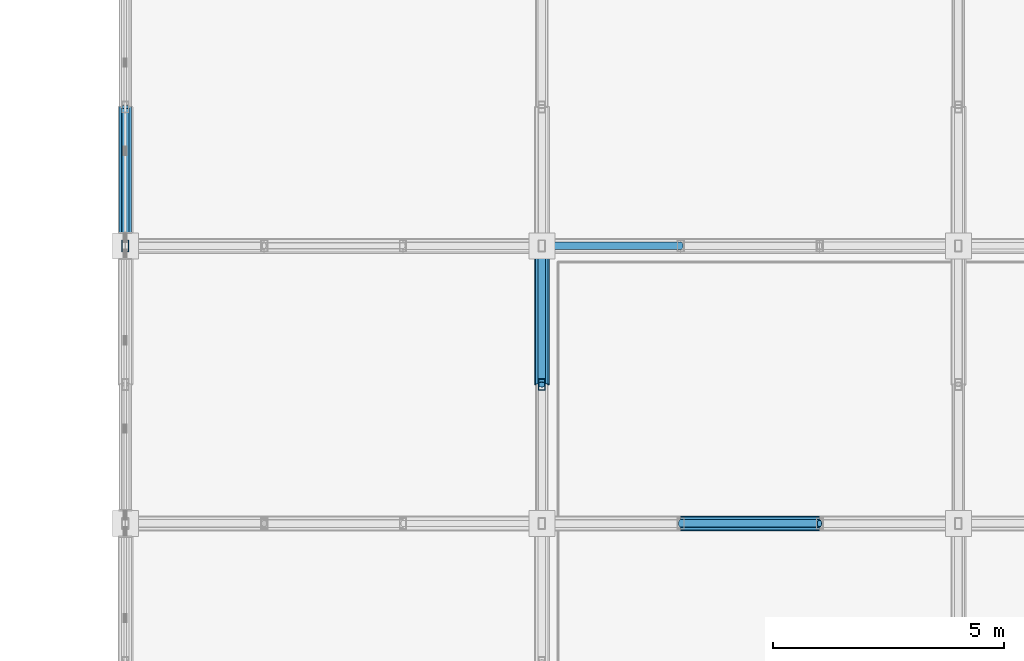
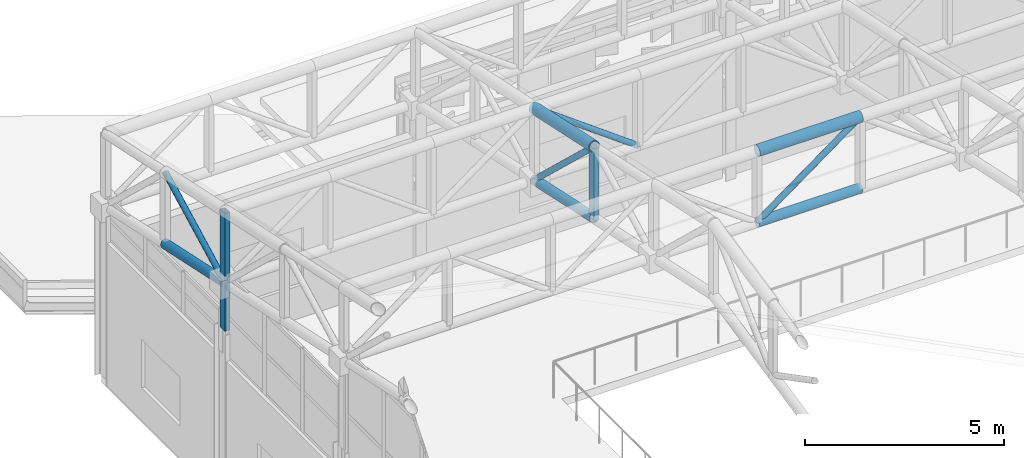
# One storey, part 16 of 112: 11 members.
"""IFC4 building model written with IfcOpenShell, lengths in metres."""

import ifcopenshell
import ifcopenshell.guid

model = None  # the IFC model being written
_history = None  # IfcOwnerHistory: only IFC2X3 demands one
_inside = {}  # id of a spatial element -> (the spatial element, [elements in it])
_under = {}  # id of a project, library or spatial element -> (it, [spatial elements below it])
_declared = {}  # id of a project -> (the project, [libraries it declares])
_typed = {}  # id of a type object -> (the type object, [elements of that type])
_made_of = {}  # id of a material, layer set ... -> (it, [elements and type objects made of it])


def new_model(schema):
    """Start an empty IFC model of exactly this schema.

    Asked for "IFC4X3", IfcOpenShell would pick the latest addendum, in which some entities
    have other attributes; the version numbers below select the first issue.
    IFC2X3 requires an IfcOwnerHistory on every rooted entity: one is made here for all.
    """
    global model, _history
    if schema == "IFC4X3":
        model = ifcopenshell.file(schema_version=(4, 3, 0, 0))
    else:
        model = ifcopenshell.file(schema=schema)
    _inside.clear()
    _under.clear()
    _declared.clear()
    _typed.clear()
    _made_of.clear()
    _history = None
    if model.schema == "IFC2X3":
        org = make("IfcOrganization", Name="unknown")
        user = make(
            "IfcPersonAndOrganization",
            ThePerson=make("IfcPerson", FamilyName="unknown"),
            TheOrganization=org,
        )
        app = make(
            "IfcApplication",
            ApplicationDeveloper=org,
            Version="unknown",
            ApplicationFullName="unknown",
            ApplicationIdentifier="unknown",
        )
        _history = make(
            "IfcOwnerHistory",
            OwningUser=user,
            OwningApplication=app,
            ChangeAction="ADDED",
            CreationDate=0,
        )
    return model


def make(cls, **values):
    """One entity of the class cls with the attributes given. An attribute that is None is left unset."""
    return model.create_entity(
        cls, **{name: value for name, value in values.items() if value is not None}
    )


def rooted(cls, **values):
    """An entity with a GlobalId (a new one), such as an element, a storey or a relation."""
    return make(cls, GlobalId=ifcopenshell.guid.new(), OwnerHistory=_history, **values)


def si_unit(unit_type, name, prefix=None):
    """IfcSIUnit, for example si_unit("LENGTHUNIT", "METRE", prefix="MILLI")."""
    return make("IfcSIUnit", UnitType=unit_type, Prefix=prefix, Name=name)


def assignment(units):
    """IfcUnitAssignment: the units of a project."""
    return None if units is None else make("IfcUnitAssignment", Units=units)


def point(xyz):
    """IfcCartesianPoint."""
    return None if xyz is None else make("IfcCartesianPoint", Coordinates=xyz)


def direction(xyz):
    """IfcDirection."""
    return None if xyz is None else make("IfcDirection", DirectionRatios=xyz)


def frame(location, z_axis=None, x_axis=None):
    """IfcAxis2Placement3D, a coordinate frame: its origin and axes. An axis left out is left unset."""
    return make(
        "IfcAxis2Placement3D",
        Location=point(location),
        Axis=direction(z_axis),
        RefDirection=direction(x_axis),
    )


def frame_2d(location, x_axis=None):
    """IfcAxis2Placement2D, a coordinate frame in the plane: its origin and x axis."""
    return make(
        "IfcAxis2Placement2D", Location=point(location), RefDirection=direction(x_axis)
    )


def origin():
    """The frame at (0, 0, 0) with its axes left unset."""
    return frame((0.0, 0.0, 0.0))


def origin_2d():
    """The frame at (0, 0) in the plane with its x axis left unset."""
    return frame_2d((0.0, 0.0))


def place(relative_to, where):
    """IfcLocalPlacement: puts the frame where relative to a parent placement (None: the world)."""
    return make(
        "IfcLocalPlacement", PlacementRelTo=relative_to, RelativePlacement=where
    )


def context(
    kind, dimensions, precision=None, world=None, true_north=None, identifier=None
):
    """IfcGeometricRepresentationContext, for example the 3D "Model" context."""
    return make(
        "IfcGeometricRepresentationContext",
        ContextIdentifier=identifier,
        ContextType=kind,
        CoordinateSpaceDimension=dimensions,
        Precision=precision,
        WorldCoordinateSystem=world,
        TrueNorth=true_north,
    )


def subcontext(parent, identifier, kind, view, scale=None):
    """IfcGeometricRepresentationSubContext, for example "Body" below "Model"."""
    return make(
        "IfcGeometricRepresentationSubContext",
        ContextIdentifier=identifier,
        ContextType=kind,
        ParentContext=parent,
        TargetScale=scale,
        TargetView=view,
    )


def project(units=None, contexts=None):
    """IfcProject with its units and contexts."""
    return rooted(
        "IfcProject",
        Name="project",
        RepresentationContexts=contexts,
        UnitsInContext=assignment(units),
    )


def spatial(cls, under=None, at=None, **own):
    """A site, building, storey or space (cls), placed at a placement, below another one or the project."""
    s = rooted(cls, ObjectPlacement=at, **own)
    if under is not None:
        _under.setdefault(under.id(), (under, []))[1].append(s)
    return s


def profile(cls, at=None, kind="AREA", **sizes):
    """A parametric profile (cls). Its sizes go by their IFC names, for example OverallWidth=200.0."""
    return make(cls, ProfileType=kind, Position=at, **sizes)


def hollow_rectangle(**sizes):
    """IfcRectangleHollowProfileDef."""
    return profile("IfcRectangleHollowProfileDef", **sizes)


def hollow_circle(**sizes):
    """IfcCircleHollowProfileDef."""
    return profile("IfcCircleHollowProfileDef", **sizes)


def extrude(swept, where, along, depth):
    """IfcExtrudedAreaSolid: the profile swept, set in the frame where, extruded along a direction by depth."""
    return make(
        "IfcExtrudedAreaSolid",
        SweptArea=swept,
        Position=where,
        ExtrudedDirection=direction(along),
        Depth=depth,
    )


def shape(context_of_items, identifier, shape_type, items):
    """IfcShapeRepresentation: the items that make up one representation, for example the "Body"."""
    return make(
        "IfcShapeRepresentation",
        ContextOfItems=context_of_items,
        RepresentationIdentifier=identifier,
        RepresentationType=shape_type,
        Items=items,
    )


def material(Name=None, Category=None):
    """IfcMaterial."""
    return make("IfcMaterial", Name=Name, Category=Category)


def material_profile(
    of_material, cross_section, Name=None, Category=None, Priority=None
):
    """IfcMaterialProfile: a cross section and its material."""
    return make(
        "IfcMaterialProfile",
        Name=Name,
        Material=of_material,
        Profile=cross_section,
        Priority=Priority,
        Category=Category,
    )


def profile_set(profiles, Name=None, composite=None):
    """IfcMaterialProfileSet."""
    return make(
        "IfcMaterialProfileSet",
        Name=Name,
        MaterialProfiles=profiles,
        CompositeProfile=composite,
    )


def made_of(thing, what):
    """Note that an element or type object is made of a material, layer set ...; save() writes the relation."""
    if what is not None:
        _made_of.setdefault(what.id(), (what, []))[1].append(thing)
    return thing


def type_object(cls, material=None, **own):
    """A type object (cls), such as IfcWallType, which elements share."""
    return made_of(rooted(cls, **own), material)


def element(
    cls,
    number,
    at=None,
    inside=None,
    cuts=None,
    type_object=None,
    material=None,
    context=None,
    identifier="Body",
    shape_type=None,
    held_by="IfcProductDefinitionShape",
    body=None,
    shapes=None,
    **own,
):
    """One element of the class cls, such as IfcWall. Its Tag is "e" and its number.

    at: its placement. inside: the storey or other place that contains it. cuts: it is an
    opening in that element (IfcRelVoidsElement). A single representation is given by context,
    identifier, shape_type and body (its items); several are given by shapes. held_by: the class
    of the entity that holds the representations. save() writes the other relations.
    """
    e = rooted(cls, Tag="e%d" % number, ObjectPlacement=at, **own)
    if body is not None:
        shapes = [shape(context, identifier, shape_type, body)]
    if shapes is not None:
        e.Representation = make(held_by, Representations=shapes)
    if inside is not None:
        _inside.setdefault(inside.id(), (inside, []))[1].append(e)
    if cuts is not None:
        rooted(
            "IfcRelVoidsElement", RelatingBuildingElement=cuts, RelatedOpeningElement=e
        )
    if type_object is not None:
        _typed.setdefault(type_object.id(), (type_object, []))[1].append(e)
    return made_of(e, material)


def aggregate(whole, parts):
    """IfcRelAggregates: a whole, such as a stair, and the parts it consists of."""
    return rooted("IfcRelAggregates", RelatingObject=whole, RelatedObjects=parts)


def save(model, path):
    """Write the relations noted so far, then the file.

    IfcRelAggregates (storeys below a building ...), IfcRelContainedInSpatialStructure (elements
    in a storey), IfcRelDefinesByType, IfcRelAssociatesMaterial and IfcRelDeclares: one each for
    every whole, place, type object, material and project.
    """
    for whole, parts in _under.values():
        aggregate(whole, parts)
    for where, things in _inside.values():
        rooted(
            "IfcRelContainedInSpatialStructure",
            RelatedElements=things,
            RelatingStructure=where,
        )
    for kind, things in _typed.values():
        rooted("IfcRelDefinesByType", RelatedObjects=things, RelatingType=kind)
    for what, things in _made_of.values():
        rooted("IfcRelAssociatesMaterial", RelatedObjects=things, RelatingMaterial=what)
    for by, libraries in _declared.values():
        rooted("IfcRelDeclares", RelatingContext=by, RelatedDefinitions=libraries)
    model.write(path)


model = new_model("IFC4")

# Units and contexts
model_context = context("Model", 3, precision=1e-05, world=origin(), true_north=direction((0.0, 1.0)))
body_context = subcontext(model_context, "Body", "Model", "MODEL_VIEW")
ifc_project = project(units=[si_unit("LENGTHUNIT", "METRE"), si_unit("AREAUNIT", "SQUARE_METRE"), si_unit("VOLUMEUNIT", "CUBIC_METRE"), si_unit("PLANEANGLEUNIT", "RADIAN"), si_unit("MASSUNIT", "GRAM", prefix="KILO")], contexts=[model_context])

# Site, building, storey
site_placement = place(None, origin())
site = spatial("IfcSite", under=ifc_project, at=site_placement, CompositionType="ELEMENT")
building_placement = place(site_placement, origin())
building = spatial("IfcBuilding", under=site, at=building_placement, Name="Kaldris Quays Convention Centre", CompositionType="ELEMENT")
storey_placement = place(building_placement, frame((0.0, 0.0, 16.800048828125)))
storey = spatial("IfcBuildingStorey", under=building, at=storey_placement, Name="L03", CompositionType="ELEMENT", Elevation=16.800048828125)

# Members
ifc_material = material(Name="Steel S355J2H", Category="steel")
ifc_material_profile_1 = material_profile(ifc_material, hollow_circle(Radius=0.161865234375, WallThickness=0.01611328125, at=origin_2d()), Name="CHS 323.9x16")
ifc_profile_set_1 = profile_set([ifc_material_profile_1], Name="Steel S355J2H")
member_type_1 = type_object("IfcMemberType", Name="STRUCTURAL MEMBER SC03", PredefinedType="CHORD", material=ifc_profile_set_1)
member_1_placement = place(storey_placement, frame((32.0, 34.0, 10.09033203125), z_axis=(1.0, 0.0, 0.0), x_axis=(0.0, 1.0, 0.0)))
element("IfcMember", 1, at=member_1_placement, inside=storey, type_object=member_type_1, Name="SF-V3 Top Chord X 47", PredefinedType="CHORD", context=body_context, shape_type="SweptSolid", body=[
    extrude(hollow_circle(Radius=0.161865234375, WallThickness=0.01611328125, at=origin_2d()), origin(), (0.0, 0.0, 1.0), 3.0),
])
member_2_placement = place(storey_placement, frame((29.0, 37.0, 9.450439453125), z_axis=(0.0, 0.977999981478, -0.208604976518), x_axis=(-1.0, 0.0, 0.0)))
element("IfcMember", 2, at=member_2_placement, inside=storey, type_object=member_type_1, Name="SF-V3 Top Chord Y 123", PredefinedType="CHORD", context=body_context, shape_type="SweptSolid", body=[
    extrude(hollow_circle(Radius=0.161865234375, WallThickness=0.01611328125, at=origin_2d()), origin(), (0.0, 0.0, 1.0), 3.0673828125),
])
ifc_material_profile_2 = material_profile(ifc_material, hollow_circle(Radius=0.136474609375, WallThickness=0.012451171875, at=origin_2d()), Name="CHS 273x12.5")
ifc_profile_set_2 = profile_set([ifc_material_profile_2], Name="Steel S355J2H")
member_type_2 = type_object("IfcMemberType", Name="STRUCTURAL MEMBER SC04", PredefinedType="CHORD", material=ifc_profile_set_2)
member_3_placement = place(storey_placement, frame((32.0, 34.0, 7.890380859375), z_axis=(1.0, 0.0, 0.0), x_axis=(0.0, 1.0, 0.0)))
element("IfcMember", 3, at=member_3_placement, inside=storey, type_object=member_type_2, Name="SF-V3 Bottom Chord X 47", PredefinedType="CHORD", context=body_context, shape_type="SweptSolid", body=[
    extrude(hollow_circle(Radius=0.136474609375, WallThickness=0.012451171875, at=origin_2d()), origin(), (0.0, 0.0, 1.0), 3.0),
])
member_4_placement = place(storey_placement, frame((20.0, 40.0, 6.6103515625), z_axis=(0.0, 0.977999981478, -0.208604976518), x_axis=(-1.0, 0.0, 0.0)))
element("IfcMember", 4, at=member_4_placement, inside=storey, type_object=member_type_2, Name="SF-V3 Bottom Chord Y 114", PredefinedType="CHORD", context=body_context, shape_type="SweptSolid", body=[
    extrude(hollow_circle(Radius=0.136474609375, WallThickness=0.012451171875, at=origin_2d()), origin(), (0.0, 0.0, 1.0), 3.0673828125),
])
member_5_placement = place(storey_placement, frame((29.0, 37.0, 7.25048828125), z_axis=(0.0, 0.977983741211, -0.20868110103), x_axis=(-1.0, 0.0, 0.0)))
element("IfcMember", 5, at=member_5_placement, inside=storey, type_object=member_type_2, Name="SF-V3 Bottom Chord Y 123", PredefinedType="CHORD", context=body_context, shape_type="SweptSolid", body=[
    extrude(hollow_circle(Radius=0.136474609375, WallThickness=0.012451171875, at=origin_2d()), origin(), (0.0, 0.0, 1.0), 3.067626953125),
])
ifc_material_profile_3 = material_profile(ifc_material, hollow_circle(Radius=0.084228515625, WallThickness=0.008056640625, at=origin_2d()), Name="CHS 168.3x8")
ifc_profile_set_3 = profile_set([ifc_material_profile_3], Name="Steel S355J2H")
member_type_3 = type_object("IfcMemberType", Name="STRUCTURAL MEMBER SWB2", PredefinedType="BRACE", material=ifc_profile_set_3)
for number, where, z_axis, x_axis, name in (
    (6, (32.0, 34.0, 7.890380859375), (0.80641125493, 0.0, 0.591355128432), (0.0, 1.0, 0.0), "SF-V3 Web Diagonal X 47"),
    (7, (32.0, 40.0, 6.6103515625), (-0.806379959628, 0.0, 0.591397802423), (0.0, -1.0, 0.0), "SF-V3 Web Diagonal X 67"),
):
    element("IfcMember", number, at=place(storey_placement, frame(where, z_axis=z_axis, x_axis=x_axis)), inside=storey, type_object=member_type_3, Name=name, PredefinedType="BRACE", context=body_context, shape_type="SweptSolid", body=[
        extrude(hollow_circle(Radius=0.084228515625, WallThickness=0.008056640625, at=origin_2d()), origin(), (0.0, 0.0, 1.0), 3.72021484375),
    ])
member_6_placement = place(storey_placement, frame((20.0, 40.0, 6.6103515625), z_axis=(0.0, 0.887209708306, 0.461366376634), x_axis=(-1.0, 0.0, 0.0)))
element("IfcMember", 8, at=member_6_placement, inside=storey, type_object=member_type_3, Name="SF-V3 Web Diagonal Y 114", PredefinedType="BRACE", context=body_context, shape_type="SweptSolid", body=[
    extrude(hollow_circle(Radius=0.084228515625, WallThickness=0.008056640625, at=origin_2d()), origin(), (0.0, 0.0, 1.0), 3.38134765625),
])
member_7_placement = place(storey_placement, frame((29.0, 40.0, 6.6103515625), z_axis=(0.0, -0.726196449967, 0.687487247922), x_axis=(1.0, 0.0, 0.0)))
element("IfcMember", 9, at=member_7_placement, inside=storey, type_object=member_type_3, Name="SF-V3 Web Diagonal Y 123", PredefinedType="BRACE", context=body_context, shape_type="SweptSolid", body=[
    extrude(hollow_circle(Radius=0.084228515625, WallThickness=0.008056640625, at=origin_2d()), origin(), (0.0, 0.0, 1.0), 4.131103515625),
])
ifc_material_profile_4 = material_profile(ifc_material, hollow_rectangle(XDim=0.14990234375, YDim=0.25, WallThickness=0.010009765625, at=origin_2d()), Name="RHS 250x150x10")
ifc_profile_set_4 = profile_set([ifc_material_profile_4], Name="Steel S355J2H")
member_type_4 = type_object("IfcMemberType", Name="STRUCTURAL MEMBER TTV1", PredefinedType="POST", material=ifc_profile_set_4)
member_8_placement = place(storey_placement, frame((20.0, 40.0, 5.19384765625), z_axis=(0.0, 0.0, 1.0), x_axis=(1.0, 0.0, 0.0)))
element("IfcMember", 10, at=member_8_placement, inside=storey, type_object=member_type_4, Name="SF-V3 Space-Frame Post 9", PredefinedType="POST", context=body_context, shape_type="SweptSolid", body=[
    extrude(hollow_rectangle(XDim=0.14990234375, YDim=0.25, WallThickness=0.010009765625, at=origin_2d()), origin(), (0.0, 0.0, 1.0), 3.61669921875),
])
member_9_placement = place(storey_placement, frame((29.0, 37.0, 7.25048828125), z_axis=(0.0, 0.0, 1.0), x_axis=(1.0, 0.0, 0.0)))
element("IfcMember", 11, at=member_9_placement, inside=storey, type_object=member_type_4, Name="SF-V3 Space-Frame Post 29", PredefinedType="POST", context=body_context, shape_type="SweptSolid", body=[
    extrude(hollow_rectangle(XDim=0.14990234375, YDim=0.25, WallThickness=0.010009765625, at=origin_2d()), origin(), (0.0, 0.0, 1.0), 2.199951171875),
])

save(model, "model.ifc")
